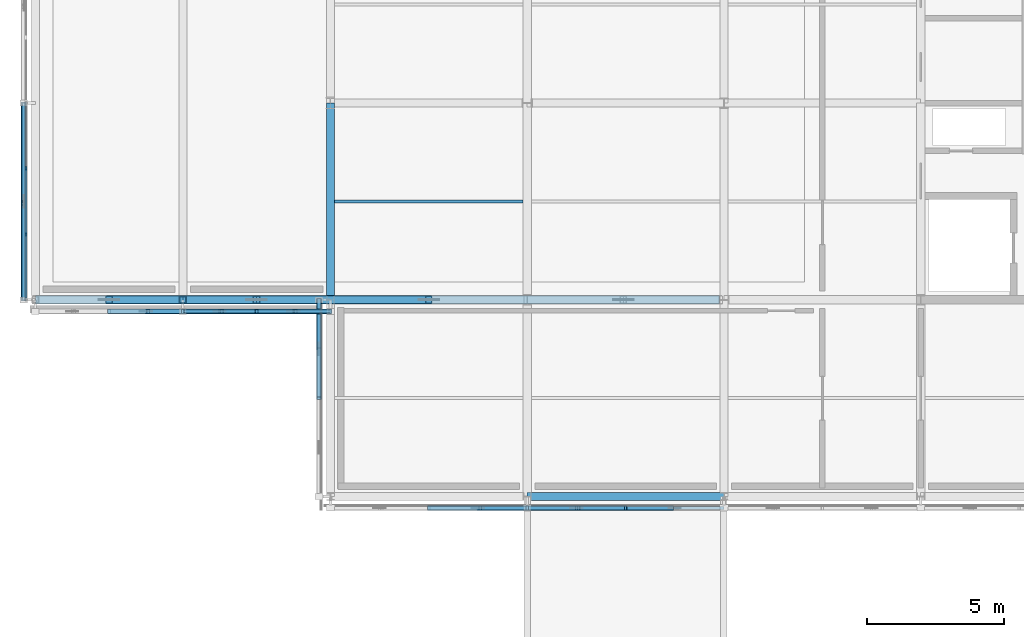
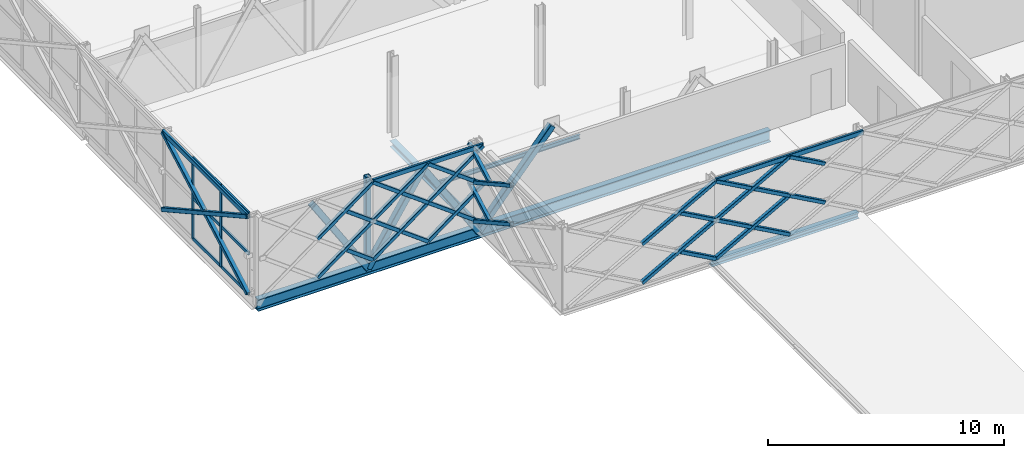
# One storey, part 33 of 103: 51 members, 4 beams, 1 element without a shape of its own.
"""IFC4 building model written with IfcOpenShell, lengths in metres."""

from ifc_helpers import new_model, si_unit, direction, frame, origin, origin_2d, place, context, subcontext, project, spatial, rectangle, hollow_rectangle, i_section, extrude, material, material_profile, profile_set, type_object, element, aggregate, save


model = new_model("IFC4")

# Units and contexts
model_context = context("Model", 3, precision=1e-05, world=origin(), true_north=direction((0.0, 1.0)))
body_context = subcontext(model_context, "Body", "Model", "MODEL_VIEW")
ifc_project = project(units=[si_unit("LENGTHUNIT", "METRE"), si_unit("AREAUNIT", "SQUARE_METRE"), si_unit("VOLUMEUNIT", "CUBIC_METRE"), si_unit("PLANEANGLEUNIT", "RADIAN"), si_unit("MASSUNIT", "GRAM", prefix="KILO")], contexts=[model_context])

# Site, building, storey
site_placement = place(None, origin())
site = spatial("IfcSite", under=ifc_project, at=site_placement, CompositionType="ELEMENT")
building_placement = place(site_placement, origin())
building = spatial("IfcBuilding", under=site, at=building_placement, Name="Zlatovets Crest Museum", CompositionType="ELEMENT")
storey_placement = place(building_placement, frame((0.0, 0.0, 12.89990234375)))
storey = spatial("IfcBuildingStorey", under=building, at=storey_placement, Name="L03", CompositionType="ELEMENT", Elevation=12.89990234375)

# Beams
ifc_material_1 = material(Name="Structural steel S355J2", Category="steel")
ifc_material_profile_1 = material_profile(ifc_material_1, i_section(OverallWidth=0.300048828125, OverallDepth=0.31005859375, WebThickness=0.009033203125, FlangeThickness=0.015380859375, FilletRadius=0.027099609375, at=origin_2d()), Name="HEA 320")
ifc_profile_set_1 = profile_set([ifc_material_profile_1], Name="Structural steel S355J2")
beam_type_1 = type_object("IfcBeamType", Name="Beam_B-04", PredefinedType="BEAM", material=ifc_profile_set_1)
beam_1_placement = place(storey_placement, frame((7.199951171875, 57.60009765625, -0.39501953125), z_axis=(0.0, 1.0, 0.0), x_axis=(-1.0, 0.0, 0.0)))
element("IfcBeam", 1, at=beam_1_placement, inside=storey, type_object=beam_type_1, Name="V4 L03 Grid Beam B-04", PredefinedType="BEAM", context=body_context, shape_type="SweptSolid", body=[
    extrude(i_section(OverallWidth=0.300048828125, OverallDepth=0.31005859375, WebThickness=0.009033203125, FlangeThickness=0.015380859375, FilletRadius=0.027099609375, at=origin_2d()), origin(), (0.0, 0.0, 1.0), 7.199951171875),
])
ifc_material_profile_2 = material_profile(ifc_material_1, i_section(OverallWidth=0.300048828125, OverallDepth=0.590087890625, WebThickness=0.012939453125, FlangeThickness=0.02490234375, FilletRadius=0.027099609375, at=origin_2d()), Name="HEA 600")
ifc_profile_set_2 = profile_set([ifc_material_profile_2], Name="Structural steel S355J2")
beam_type_2 = type_object("IfcBeamType", Name="Beam_B-07", PredefinedType="BEAM", material=ifc_profile_set_2)
beam_2_placement = place(storey_placement, frame((-3.60009765625, 57.60009765625, -0.58984375), z_axis=(1.0, 0.0, 0.0), x_axis=(0.0, 1.0, 0.0)))
element("IfcBeam", 2, at=beam_2_placement, inside=storey, type_object=beam_type_2, Name="Cantilever Transfer Truss TT-1 L03 Mid Chord", PredefinedType="BEAM", context=body_context, shape_type="SweptSolid", body=[
    extrude(i_section(OverallWidth=0.300048828125, OverallDepth=0.590087890625, WebThickness=0.012939453125, FlangeThickness=0.02490234375, FilletRadius=0.027099609375, at=origin_2d()), origin(), (0.0, 0.0, 1.0), 25.0400390625),
])
ifc_material_profile_3 = material_profile(ifc_material_1, i_section(OverallWidth=0.300048828125, OverallDepth=0.2900390625, WebThickness=0.008544921875, FlangeThickness=0.013916015625, FilletRadius=0.027099609375, at=origin_2d()), Name="HEA 300")
ifc_profile_set_3 = profile_set([ifc_material_profile_3], Name="Structural steel S355J2")
beam_type_3 = type_object("IfcBeamType", Name="Beam_B-12", PredefinedType="BEAM", material=ifc_profile_set_3)
beam_3_placement = place(storey_placement, frame((14.39990234375, 50.39990234375, -0.385009765625), z_axis=(1.0, 0.0, 0.0), x_axis=(0.0, 1.0, 0.0)))
element("IfcBeam", 3, at=beam_3_placement, inside=storey, type_object=beam_type_3, Name="V4 L03 Primary Girder B-12", PredefinedType="BEAM", context=body_context, shape_type="SweptSolid", body=[
    extrude(i_section(OverallWidth=0.300048828125, OverallDepth=0.2900390625, WebThickness=0.008544921875, FlangeThickness=0.013916015625, FilletRadius=0.027099609375, at=origin_2d()), origin(), (0.0, 0.0, 1.0), 7.2001953125),
])
ifc_material_profile_4 = material_profile(ifc_material_1, i_section(OverallWidth=0.110107421875, OverallDepth=0.219970703125, WebThickness=0.005859375, FlangeThickness=0.00927734375, FilletRadius=0.011962890625, at=origin_2d()), Name="IPE 220")
ifc_profile_set_4 = profile_set([ifc_material_profile_4], Name="Structural steel S355J2")
beam_type_4 = type_object("IfcBeamType", Name="Beam_J-10", PredefinedType="JOIST", material=ifc_profile_set_4)
beam_4_placement = place(storey_placement, frame((7.35009765625, 61.199951171875, -0.349853515625), z_axis=(1.0, 0.0, 0.0), x_axis=(0.0, 1.0, 0.0)))
element("IfcBeam", 4, at=beam_4_placement, inside=storey, type_object=beam_type_4, Name="V4 L03 Composite Joist J-10", PredefinedType="JOIST", context=body_context, shape_type="SweptSolid", body=[
    extrude(i_section(OverallWidth=0.110107421875, OverallDepth=0.219970703125, WebThickness=0.005859375, FlangeThickness=0.00927734375, FilletRadius=0.011962890625, at=origin_2d()), origin(), (0.0, 0.0, 1.0), 6.89990234375),
])

# Curtain wall, members
ifc_material_2 = material(Name="Bronze-anodised aluminium and low-E triple glass", Category="aluminium")
curtain_wall_type = type_object("IfcCurtainWallType", Name="CW_CW-V4-L03-M2", PredefinedType="NOTDEFINED", material=ifc_material_2)
curtain_wall_placement = place(storey_placement, origin())
curtain_wall = element("IfcCurtainWall", 5, at=curtain_wall_placement, inside=storey, type_object=curtain_wall_type, Name="V4 L03 Secession Foyer Clear Curtain Wall", PredefinedType="NOTDEFINED")
ifc_material_3 = material(Name="Bronze-anodised aluminium EN AW-6060", Category="aluminium")
ifc_material_profile_5 = material_profile(ifc_material_3, rectangle(XDim=0.080078125, YDim=0.159912109375, at=origin_2d()), Name="ALU 80x160")
ifc_profile_set_5 = profile_set([ifc_material_profile_5], Name="Bronze-anodised aluminium EN AW-6060")
member_type_1 = type_object("IfcMemberType", Name="CWMull_M1", PredefinedType="MULLION", material=ifc_profile_set_5)
member_1_placement = place(storey_placement, frame((-3.93994140625, 62.39990234375, 0.0), z_axis=(0.0, 0.0, 1.0), x_axis=(1.0, 0.0, 0.0)))
member_1 = element("IfcMember", 6, at=member_1_placement, type_object=member_type_1, Name="CW-V4-L03-M2 mullion 2", PredefinedType="MULLION", context=body_context, shape_type="SweptSolid", body=[
    extrude(rectangle(XDim=0.080078125, YDim=0.159912109375, at=origin_2d()), origin(), (0.0, 0.0, 1.0), 4.2001953125),
])
member_2_placement = place(storey_placement, frame((-3.93994140625, 60.0, 0.0), z_axis=(0.0, 0.0, 1.0), x_axis=(1.0, 0.0, 0.0)))
member_2 = element("IfcMember", 7, at=member_2_placement, type_object=member_type_1, Name="CW-V4-L03-M2 mullion 3", PredefinedType="MULLION", context=body_context, shape_type="SweptSolid", body=[
    extrude(rectangle(XDim=0.080078125, YDim=0.159912109375, at=origin_2d()), origin(), (0.0, 0.0, 1.0), 4.2001953125),
])
ifc_material_profile_6 = material_profile(ifc_material_3, rectangle(XDim=0.080078125, YDim=0.159912109375, at=origin_2d()), Name="ALU 80x160")
ifc_profile_set_6 = profile_set([ifc_material_profile_6], Name="Bronze-anodised aluminium EN AW-6060")
member_type_2 = type_object("IfcMemberType", Name="CWTrans_T1", PredefinedType="USERDEFINED", material=ifc_profile_set_6)
member_3_placement = place(storey_placement, frame((-3.93994140625, 62.3701171875, 0.030029296875), z_axis=(0.0, -1.0, 0.0), x_axis=(1.0, 0.0, 0.0)))
member_3 = element("IfcMember", 8, at=member_3_placement, type_object=member_type_2, Name="CW-V4-L03-M2 transom 2.1", ObjectType="TRANSOM", PredefinedType="USERDEFINED", context=body_context, shape_type="SweptSolid", body=[
    extrude(rectangle(XDim=0.080078125, YDim=0.159912109375, at=origin_2d()), origin(), (0.0, 0.0, 1.0), 2.340087890625),
])
member_4_placement = place(storey_placement, frame((-3.93994140625, 62.3701171875, 2.10009765625), z_axis=(0.0, -1.0, 0.0), x_axis=(1.0, 0.0, 0.0)))
member_4 = element("IfcMember", 9, at=member_4_placement, type_object=member_type_2, Name="CW-V4-L03-M2 transom 2.2", ObjectType="TRANSOM", PredefinedType="USERDEFINED", context=body_context, shape_type="SweptSolid", body=[
    extrude(rectangle(XDim=0.080078125, YDim=0.159912109375, at=origin_2d()), origin(), (0.0, 0.0, 1.0), 2.340087890625),
])
member_5_placement = place(storey_placement, frame((-3.93994140625, 62.3701171875, 4.170166015625), z_axis=(0.0, -1.0, 0.0), x_axis=(1.0, 0.0, 0.0)))
member_5 = element("IfcMember", 10, at=member_5_placement, type_object=member_type_2, Name="CW-V4-L03-M2 transom 2.3", ObjectType="TRANSOM", PredefinedType="USERDEFINED", context=body_context, shape_type="SweptSolid", body=[
    extrude(rectangle(XDim=0.080078125, YDim=0.159912109375, at=origin_2d()), origin(), (0.0, 0.0, 1.0), 2.340087890625),
])
member_6_placement = place(storey_placement, frame((-3.93994140625, 59.969970703125, 0.030029296875), z_axis=(0.0, -1.0, 0.0), x_axis=(1.0, 0.0, 0.0)))
member_6 = element("IfcMember", 11, at=member_6_placement, type_object=member_type_2, Name="CW-V4-L03-M2 transom 3.1", ObjectType="TRANSOM", PredefinedType="USERDEFINED", context=body_context, shape_type="SweptSolid", body=[
    extrude(rectangle(XDim=0.080078125, YDim=0.159912109375, at=origin_2d()), origin(), (0.0, 0.0, 1.0), 2.31005859375),
])
member_7_placement = place(storey_placement, frame((-3.93994140625, 59.969970703125, 2.10009765625), z_axis=(0.0, -1.0, 0.0), x_axis=(1.0, 0.0, 0.0)))
member_7 = element("IfcMember", 12, at=member_7_placement, type_object=member_type_2, Name="CW-V4-L03-M2 transom 3.2", ObjectType="TRANSOM", PredefinedType="USERDEFINED", context=body_context, shape_type="SweptSolid", body=[
    extrude(rectangle(XDim=0.080078125, YDim=0.159912109375, at=origin_2d()), origin(), (0.0, 0.0, 1.0), 2.31005859375),
])
member_8_placement = place(storey_placement, frame((-3.93994140625, 59.969970703125, 4.170166015625), z_axis=(0.0, -1.0, 0.0), x_axis=(1.0, 0.0, 0.0)))
member_8 = element("IfcMember", 13, at=member_8_placement, type_object=member_type_2, Name="CW-V4-L03-M2 transom 3.3", ObjectType="TRANSOM", PredefinedType="USERDEFINED", context=body_context, shape_type="SweptSolid", body=[
    extrude(rectangle(XDim=0.080078125, YDim=0.159912109375, at=origin_2d()), origin(), (0.0, 0.0, 1.0), 2.31005859375),
])
aggregate(curtain_wall, [member_1, member_2, member_3, member_4, member_5, member_6, member_7, member_8])

# Members
ifc_material_4 = material(Name="Weathering bronze-steel S355J2W", Category="steel")
ifc_material_profile_7 = material_profile(ifc_material_4, hollow_rectangle(XDim=0.179931640625, YDim=0.179931640625, WallThickness=0.010009765625, InnerFilletRadius=0.010009765625, OuterFilletRadius=0.02001953125, at=origin_2d()), Name="SHS 180x180x10.0")
ifc_profile_set_7 = profile_set([ifc_material_profile_7], Name="Weathering bronze-steel S355J2W")
member_type_3 = type_object("IfcMemberType", Name="Lattice_XL-01", PredefinedType="BRACE", material=ifc_profile_set_7)
member_9_placement = place(storey_placement, frame((10.800048828125, 49.97998046875, 0.10009765625), z_axis=(0.874148886685, 0.0, 0.485658031857), x_axis=(0.0, 1.0, 0.0)))
element("IfcMember", 14, at=member_9_placement, inside=storey, type_object=member_type_3, Name="Continuous Bronze Lattice Diagonal", PredefinedType="BRACE", context=body_context, shape_type="SweptSolid", body=[
    extrude(hollow_rectangle(XDim=0.179931640625, YDim=0.179931640625, WallThickness=0.010009765625, InnerFilletRadius=0.010009765625, OuterFilletRadius=0.02001953125, at=origin_2d()), origin(), (0.0, 0.0, 1.0), 4.1181640625),
])
member_10_placement = place(storey_placement, frame((12.68310546875, 49.97998046875, 1.053955078125), z_axis=(0.874139684676, 0.0, -0.48567459443), x_axis=(0.0, 1.0, 0.0)))
element("IfcMember", 15, at=member_10_placement, inside=storey, type_object=member_type_3, Name="Split Crossing Bronze Lattice Diagonal Lower", PredefinedType="BRACE", context=body_context, shape_type="SweptSolid", body=[
    extrude(hollow_rectangle(XDim=0.179931640625, YDim=0.179931640625, WallThickness=0.010009765625, InnerFilletRadius=0.010009765625, OuterFilletRadius=0.02001953125, at=origin_2d()), origin(), (0.0, 0.0, 1.0), 1.9638671875),
])
member_11_placement = place(storey_placement, frame((10.800048828125, 49.97998046875, 2.10009765625), z_axis=(0.874148886685, 0.0, 0.485658031857), x_axis=(0.0, 1.0, 0.0)))
element("IfcMember", 16, at=member_11_placement, inside=storey, type_object=member_type_3, Name="Continuous Bronze Lattice Diagonal", PredefinedType="BRACE", context=body_context, shape_type="SweptSolid", body=[
    extrude(hollow_rectangle(XDim=0.179931640625, YDim=0.179931640625, WallThickness=0.010009765625, InnerFilletRadius=0.010009765625, OuterFilletRadius=0.02001953125, at=origin_2d()), origin(), (0.0, 0.0, 1.0), 4.1181640625),
])
member_12_placement = place(storey_placement, frame((12.68310546875, 49.97998046875, 3.053955078125), z_axis=(0.874139684676, 0.0, -0.48567459443), x_axis=(0.0, 1.0, 0.0)))
element("IfcMember", 17, at=member_12_placement, inside=storey, type_object=member_type_3, Name="Split Crossing Bronze Lattice Diagonal Lower", PredefinedType="BRACE", context=body_context, shape_type="SweptSolid", body=[
    extrude(hollow_rectangle(XDim=0.179931640625, YDim=0.179931640625, WallThickness=0.010009765625, InnerFilletRadius=0.010009765625, OuterFilletRadius=0.02001953125, at=origin_2d()), origin(), (0.0, 0.0, 1.0), 1.9638671875),
])
member_13_placement = place(storey_placement, frame((14.39990234375, 49.97998046875, 0.10009765625), z_axis=(0.874162868644, 0.0, 0.485632864501), x_axis=(0.0, 1.0, 0.0)))
element("IfcMember", 18, at=member_13_placement, inside=storey, type_object=member_type_3, Name="Continuous Bronze Lattice Diagonal", PredefinedType="BRACE", context=body_context, shape_type="SweptSolid", body=[
    extrude(hollow_rectangle(XDim=0.179931640625, YDim=0.179931640625, WallThickness=0.010009765625, InnerFilletRadius=0.010009765625, OuterFilletRadius=0.02001953125, at=origin_2d()), origin(), (0.0, 0.0, 1.0), 4.118408203125),
])
for number, where, z_axis, x_axis, name in (
    (19, (14.39990234375, 49.97998046875, 2.10009765625), (0.874169001841, 0.0, -0.485621824284), (0.0, 1.0, 0.0), "Split Crossing Bronze Lattice Diagonal Upper"),
    (20, (16.282958984375, 49.97998046875, 1.053955078125), (0.874169001841, 0.0, -0.485621824284), (0.0, 1.0, 0.0), "Split Crossing Bronze Lattice Diagonal Lower"),
    (21, (18.0, 49.97998046875, 2.10009765625), (0.874169001841, 0.0, -0.485621824284), (0.0, 1.0, 0.0), "Split Crossing Bronze Lattice Diagonal Upper"),
):
    element("IfcMember", number, at=place(storey_placement, frame(where, z_axis=z_axis, x_axis=x_axis)), inside=storey, type_object=member_type_3, Name=name, PredefinedType="BRACE", context=body_context, shape_type="SweptSolid", body=[
        extrude(hollow_rectangle(XDim=0.179931640625, YDim=0.179931640625, WallThickness=0.010009765625, InnerFilletRadius=0.010009765625, OuterFilletRadius=0.02001953125, at=origin_2d()), origin(), (0.0, 0.0, 1.0), 1.964111328125),
    ])
member_14_placement = place(storey_placement, frame((14.39990234375, 49.97998046875, 2.10009765625), z_axis=(0.874162868644, 0.0, 0.485632864501), x_axis=(0.0, 1.0, 0.0)))
element("IfcMember", 22, at=member_14_placement, inside=storey, type_object=member_type_3, Name="Continuous Bronze Lattice Diagonal", PredefinedType="BRACE", context=body_context, shape_type="SweptSolid", body=[
    extrude(hollow_rectangle(XDim=0.179931640625, YDim=0.179931640625, WallThickness=0.010009765625, InnerFilletRadius=0.010009765625, OuterFilletRadius=0.02001953125, at=origin_2d()), origin(), (0.0, 0.0, 1.0), 4.118408203125),
])
for number, where, z_axis, x_axis, name in (
    (23, (14.39990234375, 49.97998046875, 4.10009765625), (0.874169001841, 0.0, -0.485621824284), (0.0, 1.0, 0.0), "Split Crossing Bronze Lattice Diagonal Upper"),
    (24, (16.282958984375, 49.97998046875, 3.053955078125), (0.874169001841, 0.0, -0.485621824284), (0.0, 1.0, 0.0), "Split Crossing Bronze Lattice Diagonal Lower"),
    (25, (18.0, 49.97998046875, 4.10009765625), (0.874169001841, 0.0, -0.485621824284), (0.0, 1.0, 0.0), "Split Crossing Bronze Lattice Diagonal Upper"),
):
    element("IfcMember", number, at=place(storey_placement, frame(where, z_axis=z_axis, x_axis=x_axis)), inside=storey, type_object=member_type_3, Name=name, PredefinedType="BRACE", context=body_context, shape_type="SweptSolid", body=[
        extrude(hollow_rectangle(XDim=0.179931640625, YDim=0.179931640625, WallThickness=0.010009765625, InnerFilletRadius=0.010009765625, OuterFilletRadius=0.02001953125, at=origin_2d()), origin(), (0.0, 0.0, 1.0), 1.964111328125),
    ])
member_15_placement = place(storey_placement, frame((-0.89990234375, 57.179931640625, 0.10009765625), z_axis=(0.803552044655, 0.0, 0.595234501294), x_axis=(0.0, 1.0, 0.0)))
element("IfcMember", 26, at=member_15_placement, inside=storey, type_object=member_type_3, Name="Continuous Bronze Lattice Diagonal", PredefinedType="BRACE", context=body_context, shape_type="SweptSolid", body=[
    extrude(hollow_rectangle(XDim=0.179931640625, YDim=0.179931640625, WallThickness=0.010009765625, InnerFilletRadius=0.010009765625, OuterFilletRadius=0.02001953125, at=origin_2d()), origin(), (0.0, 0.0, 1.0), 3.360107421875),
])
member_16_placement = place(storey_placement, frame((0.5263671875, 57.179931640625, 1.043701171875), z_axis=(0.803516265271, 0.0, -0.595282799554), x_axis=(0.0, 1.0, 0.0)))
element("IfcMember", 27, at=member_16_placement, inside=storey, type_object=member_type_3, Name="Split Crossing Bronze Lattice Diagonal Lower", PredefinedType="BRACE", context=body_context, shape_type="SweptSolid", body=[
    extrude(hollow_rectangle(XDim=0.179931640625, YDim=0.179931640625, WallThickness=0.010009765625, InnerFilletRadius=0.010009765625, OuterFilletRadius=0.02001953125, at=origin_2d()), origin(), (0.0, 0.0, 1.0), 1.585205078125),
])
member_17_placement = place(storey_placement, frame((-0.89990234375, 57.179931640625, 2.10009765625), z_axis=(0.803552044655, 0.0, 0.595234501294), x_axis=(0.0, 1.0, 0.0)))
element("IfcMember", 28, at=member_17_placement, inside=storey, type_object=member_type_3, Name="Continuous Bronze Lattice Diagonal", PredefinedType="BRACE", context=body_context, shape_type="SweptSolid", body=[
    extrude(hollow_rectangle(XDim=0.179931640625, YDim=0.179931640625, WallThickness=0.010009765625, InnerFilletRadius=0.010009765625, OuterFilletRadius=0.02001953125, at=origin_2d()), origin(), (0.0, 0.0, 1.0), 3.360107421875),
])
member_18_placement = place(storey_placement, frame((0.5263671875, 57.179931640625, 3.043701171875), z_axis=(0.803516265271, 0.0, -0.595282799554), x_axis=(0.0, 1.0, 0.0)))
element("IfcMember", 29, at=member_18_placement, inside=storey, type_object=member_type_3, Name="Split Crossing Bronze Lattice Diagonal Lower", PredefinedType="BRACE", context=body_context, shape_type="SweptSolid", body=[
    extrude(hollow_rectangle(XDim=0.179931640625, YDim=0.179931640625, WallThickness=0.010009765625, InnerFilletRadius=0.010009765625, OuterFilletRadius=0.02001953125, at=origin_2d()), origin(), (0.0, 0.0, 1.0), 1.585205078125),
])
member_19_placement = place(storey_placement, frame((1.800048828125, 57.179931640625, 0.10009765625), z_axis=(0.803552044655, 0.0, 0.595234501294), x_axis=(0.0, 1.0, 0.0)))
element("IfcMember", 30, at=member_19_placement, inside=storey, type_object=member_type_3, Name="Continuous Bronze Lattice Diagonal", PredefinedType="BRACE", context=body_context, shape_type="SweptSolid", body=[
    extrude(hollow_rectangle(XDim=0.179931640625, YDim=0.179931640625, WallThickness=0.010009765625, InnerFilletRadius=0.010009765625, OuterFilletRadius=0.02001953125, at=origin_2d()), origin(), (0.0, 0.0, 1.0), 3.360107421875),
])
for number, where, z_axis, x_axis, name in (
    (31, (1.800048828125, 57.179931640625, 2.10009765625), (0.803516265271, 0.0, -0.595282799554), (0.0, 1.0, 0.0), "Split Crossing Bronze Lattice Diagonal Upper"),
    (32, (3.226318359375, 57.179931640625, 1.043701171875), (0.803516265271, 0.0, -0.595282799554), (0.0, 1.0, 0.0), "Split Crossing Bronze Lattice Diagonal Lower"),
):
    element("IfcMember", number, at=place(storey_placement, frame(where, z_axis=z_axis, x_axis=x_axis)), inside=storey, type_object=member_type_3, Name=name, PredefinedType="BRACE", context=body_context, shape_type="SweptSolid", body=[
        extrude(hollow_rectangle(XDim=0.179931640625, YDim=0.179931640625, WallThickness=0.010009765625, InnerFilletRadius=0.010009765625, OuterFilletRadius=0.02001953125, at=origin_2d()), origin(), (0.0, 0.0, 1.0), 1.585205078125),
    ])
member_20_placement = place(storey_placement, frame((4.5, 57.179931640625, 0.10009765625), z_axis=(0.803552044655, 0.0, 0.595234501294), x_axis=(0.0, 1.0, 0.0)))
element("IfcMember", 33, at=member_20_placement, inside=storey, type_object=member_type_3, Name="Continuous Bronze Lattice Diagonal", PredefinedType="BRACE", context=body_context, shape_type="SweptSolid", body=[
    extrude(hollow_rectangle(XDim=0.179931640625, YDim=0.179931640625, WallThickness=0.010009765625, InnerFilletRadius=0.010009765625, OuterFilletRadius=0.02001953125, at=origin_2d()), origin(), (0.0, 0.0, 1.0), 3.360107421875),
])
for number, where, z_axis, x_axis, name in (
    (34, (4.5, 57.179931640625, 2.10009765625), (0.803516265271, 0.0, -0.595282799554), (0.0, 1.0, 0.0), "Split Crossing Bronze Lattice Diagonal Upper"),
    (35, (5.92626953125, 57.179931640625, 1.043701171875), (0.803516265271, 0.0, -0.595282799554), (0.0, 1.0, 0.0), "Split Crossing Bronze Lattice Diagonal Lower"),
):
    element("IfcMember", number, at=place(storey_placement, frame(where, z_axis=z_axis, x_axis=x_axis)), inside=storey, type_object=member_type_3, Name=name, PredefinedType="BRACE", context=body_context, shape_type="SweptSolid", body=[
        extrude(hollow_rectangle(XDim=0.179931640625, YDim=0.179931640625, WallThickness=0.010009765625, InnerFilletRadius=0.010009765625, OuterFilletRadius=0.02001953125, at=origin_2d()), origin(), (0.0, 0.0, 1.0), 1.585205078125),
    ])
member_21_placement = place(storey_placement, frame((1.800048828125, 57.179931640625, 2.10009765625), z_axis=(0.803552044655, 0.0, 0.595234501294), x_axis=(0.0, 1.0, 0.0)))
element("IfcMember", 36, at=member_21_placement, inside=storey, type_object=member_type_3, Name="Continuous Bronze Lattice Diagonal", PredefinedType="BRACE", context=body_context, shape_type="SweptSolid", body=[
    extrude(hollow_rectangle(XDim=0.179931640625, YDim=0.179931640625, WallThickness=0.010009765625, InnerFilletRadius=0.010009765625, OuterFilletRadius=0.02001953125, at=origin_2d()), origin(), (0.0, 0.0, 1.0), 3.360107421875),
])
for number, where, z_axis, x_axis, name in (
    (37, (1.800048828125, 57.179931640625, 4.10009765625), (0.803516265271, 0.0, -0.595282799554), (0.0, 1.0, 0.0), "Split Crossing Bronze Lattice Diagonal Upper"),
    (38, (3.226318359375, 57.179931640625, 3.043701171875), (0.803516265271, 0.0, -0.595282799554), (0.0, 1.0, 0.0), "Split Crossing Bronze Lattice Diagonal Lower"),
):
    element("IfcMember", number, at=place(storey_placement, frame(where, z_axis=z_axis, x_axis=x_axis)), inside=storey, type_object=member_type_3, Name=name, PredefinedType="BRACE", context=body_context, shape_type="SweptSolid", body=[
        extrude(hollow_rectangle(XDim=0.179931640625, YDim=0.179931640625, WallThickness=0.010009765625, InnerFilletRadius=0.010009765625, OuterFilletRadius=0.02001953125, at=origin_2d()), origin(), (0.0, 0.0, 1.0), 1.585205078125),
    ])
member_22_placement = place(storey_placement, frame((4.5, 57.179931640625, 2.10009765625), z_axis=(0.803552044655, 0.0, 0.595234501294), x_axis=(0.0, 1.0, 0.0)))
element("IfcMember", 39, at=member_22_placement, inside=storey, type_object=member_type_3, Name="Continuous Bronze Lattice Diagonal", PredefinedType="BRACE", context=body_context, shape_type="SweptSolid", body=[
    extrude(hollow_rectangle(XDim=0.179931640625, YDim=0.179931640625, WallThickness=0.010009765625, InnerFilletRadius=0.010009765625, OuterFilletRadius=0.02001953125, at=origin_2d()), origin(), (0.0, 0.0, 1.0), 3.360107421875),
])
for number, where, z_axis, x_axis, name in (
    (40, (4.5, 57.179931640625, 4.10009765625), (0.803516265271, 0.0, -0.595282799554), (0.0, 1.0, 0.0), "Split Crossing Bronze Lattice Diagonal Upper"),
    (41, (5.92626953125, 57.179931640625, 3.043701171875), (0.803516265271, 0.0, -0.595282799554), (0.0, 1.0, 0.0), "Split Crossing Bronze Lattice Diagonal Lower"),
):
    element("IfcMember", number, at=place(storey_placement, frame(where, z_axis=z_axis, x_axis=x_axis)), inside=storey, type_object=member_type_3, Name=name, PredefinedType="BRACE", context=body_context, shape_type="SweptSolid", body=[
        extrude(hollow_rectangle(XDim=0.179931640625, YDim=0.179931640625, WallThickness=0.010009765625, InnerFilletRadius=0.010009765625, OuterFilletRadius=0.02001953125, at=origin_2d()), origin(), (0.0, 0.0, 1.0), 1.585205078125),
    ])
member_23_placement = place(storey_placement, frame((6.780029296875, 57.60009765625, 0.10009765625), z_axis=(0.0, -0.874162868644, 0.485632864501), x_axis=(1.0, 0.0, 0.0)))
element("IfcMember", 42, at=member_23_placement, inside=storey, type_object=member_type_3, Name="Continuous Bronze Lattice Diagonal", PredefinedType="BRACE", context=body_context, shape_type="SweptSolid", body=[
    extrude(hollow_rectangle(XDim=0.179931640625, YDim=0.179931640625, WallThickness=0.010009765625, InnerFilletRadius=0.010009765625, OuterFilletRadius=0.02001953125, at=origin_2d()), origin(), (0.0, 0.0, 1.0), 4.118408203125),
])
member_24_placement = place(storey_placement, frame((6.780029296875, 57.60009765625, 2.10009765625), z_axis=(0.0, -0.874169001841, -0.485621824284), x_axis=(1.0, 0.0, 0.0)))
element("IfcMember", 43, at=member_24_placement, inside=storey, type_object=member_type_3, Name="Split Crossing Bronze Lattice Diagonal Upper", PredefinedType="BRACE", context=body_context, shape_type="SweptSolid", body=[
    extrude(hollow_rectangle(XDim=0.179931640625, YDim=0.179931640625, WallThickness=0.010009765625, InnerFilletRadius=0.010009765625, OuterFilletRadius=0.02001953125, at=origin_2d()), origin(), (0.0, 0.0, 1.0), 1.964111328125),
])
member_25_placement = place(storey_placement, frame((6.780029296875, 57.60009765625, 2.10009765625), z_axis=(0.0, -0.874162868644, 0.485632864501), x_axis=(1.0, 0.0, 0.0)))
element("IfcMember", 44, at=member_25_placement, inside=storey, type_object=member_type_3, Name="Continuous Bronze Lattice Diagonal", PredefinedType="BRACE", context=body_context, shape_type="SweptSolid", body=[
    extrude(hollow_rectangle(XDim=0.179931640625, YDim=0.179931640625, WallThickness=0.010009765625, InnerFilletRadius=0.010009765625, OuterFilletRadius=0.02001953125, at=origin_2d()), origin(), (0.0, 0.0, 1.0), 4.118408203125),
])
member_26_placement = place(storey_placement, frame((6.780029296875, 57.60009765625, 4.10009765625), z_axis=(0.0, -0.874169001841, -0.485621824284), x_axis=(1.0, 0.0, 0.0)))
element("IfcMember", 45, at=member_26_placement, inside=storey, type_object=member_type_3, Name="Split Crossing Bronze Lattice Diagonal Upper", PredefinedType="BRACE", context=body_context, shape_type="SweptSolid", body=[
    extrude(hollow_rectangle(XDim=0.179931640625, YDim=0.179931640625, WallThickness=0.010009765625, InnerFilletRadius=0.010009765625, OuterFilletRadius=0.02001953125, at=origin_2d()), origin(), (0.0, 0.0, 1.0), 1.964111328125),
])
ifc_material_profile_8 = material_profile(ifc_material_4, hollow_rectangle(XDim=0.199951171875, YDim=0.199951171875, WallThickness=0.012451171875, InnerFilletRadius=0.012451171875, OuterFilletRadius=0.02490234375, at=origin_2d()), Name="SHS 200x200x12.5")
ifc_profile_set_8 = profile_set([ifc_material_profile_8], Name="Weathering bronze-steel S355J2W")
member_type_4 = type_object("IfcMemberType", Name="Lattice_XL-02", PredefinedType="BRACE", material=ifc_profile_set_8)
member_27_placement = place(storey_placement, frame((-4.02001953125, 64.800048828125, 0.10009765625), z_axis=(0.0, -0.874155877937, 0.485645447903), x_axis=(1.0, 0.0, 0.0)))
element("IfcMember", 46, at=member_27_placement, inside=storey, type_object=member_type_4, Name="Continuous Bronze Lattice Diagonal", PredefinedType="BRACE", context=body_context, shape_type="SweptSolid", body=[
    extrude(hollow_rectangle(XDim=0.199951171875, YDim=0.199951171875, WallThickness=0.012451171875, InnerFilletRadius=0.012451171875, OuterFilletRadius=0.02490234375, at=origin_2d()), origin(), (0.0, 0.0, 1.0), 8.236572265625),
])
member_28_placement = place(storey_placement, frame((-4.02001953125, 64.800048828125, 4.10009765625), z_axis=(0.0, -0.874165862873, -0.485627474703), x_axis=(1.0, 0.0, 0.0)))
element("IfcMember", 47, at=member_28_placement, inside=storey, type_object=member_type_4, Name="Split Crossing Bronze Lattice Diagonal Upper", PredefinedType="BRACE", context=body_context, shape_type="SweptSolid", body=[
    extrude(hollow_rectangle(XDim=0.199951171875, YDim=0.199951171875, WallThickness=0.012451171875, InnerFilletRadius=0.012451171875, OuterFilletRadius=0.02490234375, at=origin_2d()), origin(), (0.0, 0.0, 1.0), 4.0234375),
])
member_29_placement = place(storey_placement, frame((-4.02001953125, 61.116943359375, 2.053955078125), z_axis=(0.0, -0.874151551165, -0.485653235958), x_axis=(1.0, 0.0, 0.0)))
element("IfcMember", 48, at=member_29_placement, inside=storey, type_object=member_type_4, Name="Split Crossing Bronze Lattice Diagonal Lower", PredefinedType="BRACE", context=body_context, shape_type="SweptSolid", body=[
    extrude(hollow_rectangle(XDim=0.199951171875, YDim=0.199951171875, WallThickness=0.012451171875, InnerFilletRadius=0.012451171875, OuterFilletRadius=0.02490234375, at=origin_2d()), origin(), (0.0, 0.0, 1.0), 4.023193359375),
])
ifc_material_profile_9 = material_profile(ifc_material_4, hollow_rectangle(XDim=0.1201171875, YDim=0.239990234375, WallThickness=0.010009765625, InnerFilletRadius=0.010009765625, OuterFilletRadius=0.02001953125, at=origin_2d()), Name="RHS 120x240x10.0")
ifc_profile_set_9 = profile_set([ifc_material_profile_9], Name="Weathering bronze-steel S355J2W")
member_type_5 = type_object("IfcMemberType", Name="Lattice_XL-04", PredefinedType="CHORD", material=ifc_profile_set_9)
member_30_placement = place(storey_placement, frame((14.39990234375, 49.97998046875, 4.10009765625), z_axis=(1.0, 0.0, 0.0), x_axis=(0.0, 1.0, 0.0)))
element("IfcMember", 49, at=member_30_placement, inside=storey, type_object=member_type_5, Name="Art Nouveau Woven Cage Collector Ring Chord", PredefinedType="CHORD", context=body_context, shape_type="SweptSolid", body=[
    extrude(hollow_rectangle(XDim=0.1201171875, YDim=0.239990234375, WallThickness=0.010009765625, InnerFilletRadius=0.010009765625, OuterFilletRadius=0.02001953125, at=origin_2d()), origin(), (0.0, 0.0, 1.0), 7.2001953125),
])
member_31_placement = place(storey_placement, frame((-4.02001953125, 64.800048828125, 4.10009765625), z_axis=(0.0, -1.0, 0.0), x_axis=(1.0, 0.0, 0.0)))
element("IfcMember", 50, at=member_31_placement, inside=storey, type_object=member_type_5, Name="Art Nouveau Woven Cage Collector Ring Chord", PredefinedType="CHORD", context=body_context, shape_type="SweptSolid", body=[
    extrude(hollow_rectangle(XDim=0.1201171875, YDim=0.239990234375, WallThickness=0.010009765625, InnerFilletRadius=0.010009765625, OuterFilletRadius=0.02001953125, at=origin_2d()), origin(), (0.0, 0.0, 1.0), 7.199951171875),
])
member_32_placement = place(storey_placement, frame((1.800048828125, 57.179931640625, 4.10009765625), z_axis=(1.0, 0.0, 0.0), x_axis=(0.0, 1.0, 0.0)))
element("IfcMember", 51, at=member_32_placement, inside=storey, type_object=member_type_5, Name="Art Nouveau Woven Cage Collector Ring Chord", PredefinedType="CHORD", context=body_context, shape_type="SweptSolid", body=[
    extrude(hollow_rectangle(XDim=0.1201171875, YDim=0.239990234375, WallThickness=0.010009765625, InnerFilletRadius=0.010009765625, OuterFilletRadius=0.02001953125, at=origin_2d()), origin(), (0.0, 0.0, 1.0), 5.39990234375),
])
ifc_material_profile_10 = material_profile(ifc_material_1, hollow_rectangle(XDim=0.25, YDim=0.25, WallThickness=0.012451171875, InnerFilletRadius=0.012451171875, OuterFilletRadius=0.02490234375, at=origin_2d()), Name="SHS 250x250x12.5")
ifc_profile_set_10 = profile_set([ifc_material_profile_10], Name="Structural steel S355J2")
member_type_6 = type_object("IfcMemberType", Name="Member_TM-07", PredefinedType="CHORD", material=ifc_profile_set_10)
member_33_placement = place(storey_placement, frame((1.800048828125, 57.60009765625, -0.58984375), z_axis=(0.0, 0.0, 1.0), x_axis=(1.0, 0.0, 0.0)))
element("IfcMember", 52, at=member_33_placement, inside=storey, type_object=member_type_6, Name="Transfer Truss TT-1 Upper Vertical Post", PredefinedType="CHORD", context=body_context, shape_type="SweptSolid", body=[
    extrude(hollow_rectangle(XDim=0.25, YDim=0.25, WallThickness=0.012451171875, InnerFilletRadius=0.012451171875, OuterFilletRadius=0.02490234375, at=origin_2d()), origin(), (0.0, 0.0, 1.0), 4.739990234375),
])
ifc_material_profile_11 = material_profile(ifc_material_1, hollow_rectangle(XDim=0.300048828125, YDim=0.300048828125, WallThickness=0.01611328125, InnerFilletRadius=0.01611328125, OuterFilletRadius=0.031982421875, at=origin_2d()), Name="SHS 300x300x16.0")
ifc_profile_set_11 = profile_set([ifc_material_profile_11], Name="Structural steel S355J2")
member_type_7 = type_object("IfcMemberType", Name="Member_TM-08", PredefinedType="BRACE", material=ifc_profile_set_11)
for number, where, z_axis, x_axis, name in (
    (53, (-0.89990234375, 57.60009765625, 3.630126953125), (0.538936146087, 0.0, -0.842346621315), (0.0, 1.0, 0.0), "Transfer Truss TT-1 Web Diagonal"),
    (54, (1.800048828125, 57.60009765625, -0.58984375), (0.538936146087, 0.0, 0.842346621315), (0.0, 1.0, 0.0), "Transfer Truss TT-1 Web Diagonal"),
    (55, (4.5, 57.60009765625, 3.630126953125), (0.538936146087, 0.0, -0.842346621315), (0.0, 1.0, 0.0), "Transfer Truss TT-1 Web Diagonal"),
):
    element("IfcMember", number, at=place(storey_placement, frame(where, z_axis=z_axis, x_axis=x_axis)), inside=storey, type_object=member_type_7, Name=name, PredefinedType="BRACE", context=body_context, shape_type="SweptSolid", body=[
        extrude(hollow_rectangle(XDim=0.300048828125, YDim=0.300048828125, WallThickness=0.01611328125, InnerFilletRadius=0.01611328125, OuterFilletRadius=0.031982421875, at=origin_2d()), origin(), (0.0, 0.0, 1.0), 5.009765625),
    ])
member_34_placement = place(storey_placement, frame((7.199951171875, 57.60009765625, -0.58984375), z_axis=(0.649020788736, 0.0, 0.760770672271), x_axis=(0.0, 1.0, 0.0)))
element("IfcMember", 56, at=member_34_placement, inside=storey, type_object=member_type_7, Name="Transfer Truss TT-1 Web Diagonal", PredefinedType="BRACE", context=body_context, shape_type="SweptSolid", body=[
    extrude(hollow_rectangle(XDim=0.300048828125, YDim=0.300048828125, WallThickness=0.01611328125, InnerFilletRadius=0.01611328125, OuterFilletRadius=0.031982421875, at=origin_2d()), origin(), (0.0, 0.0, 1.0), 5.546875),
])

save(model, "model.ifc")
